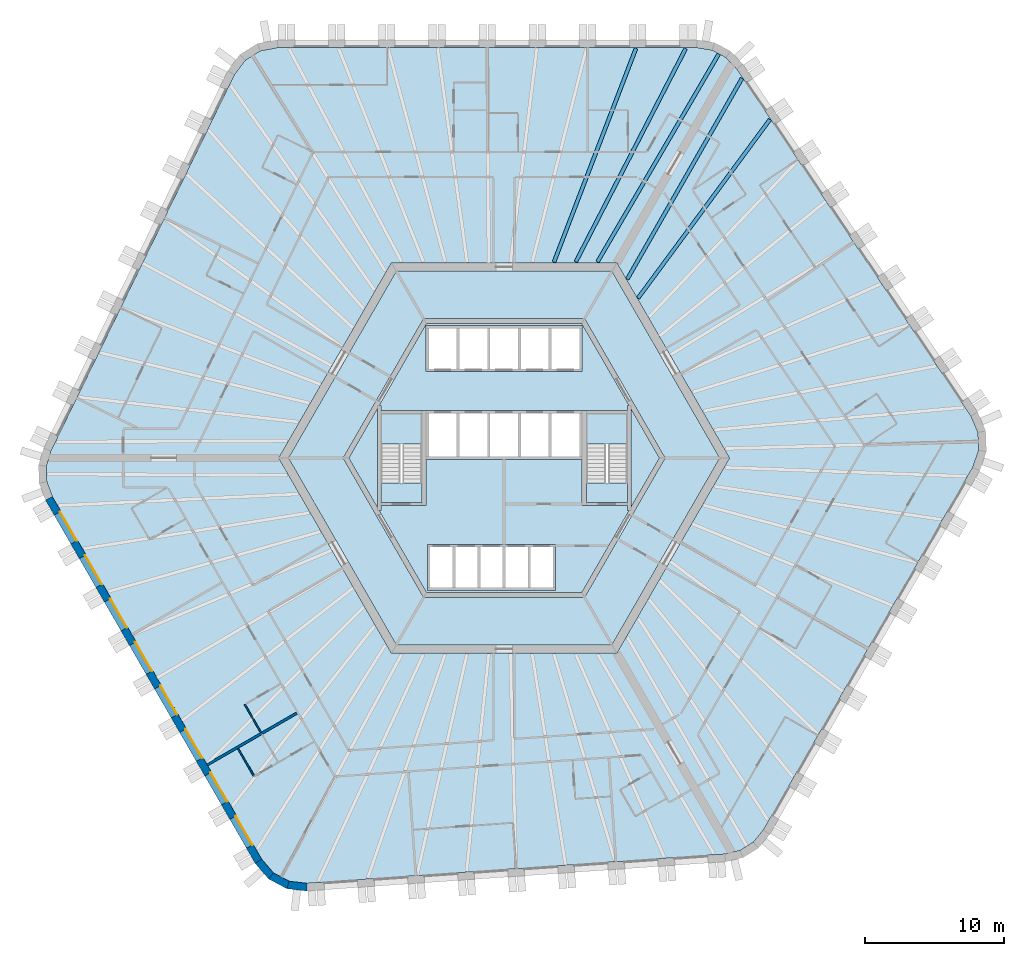
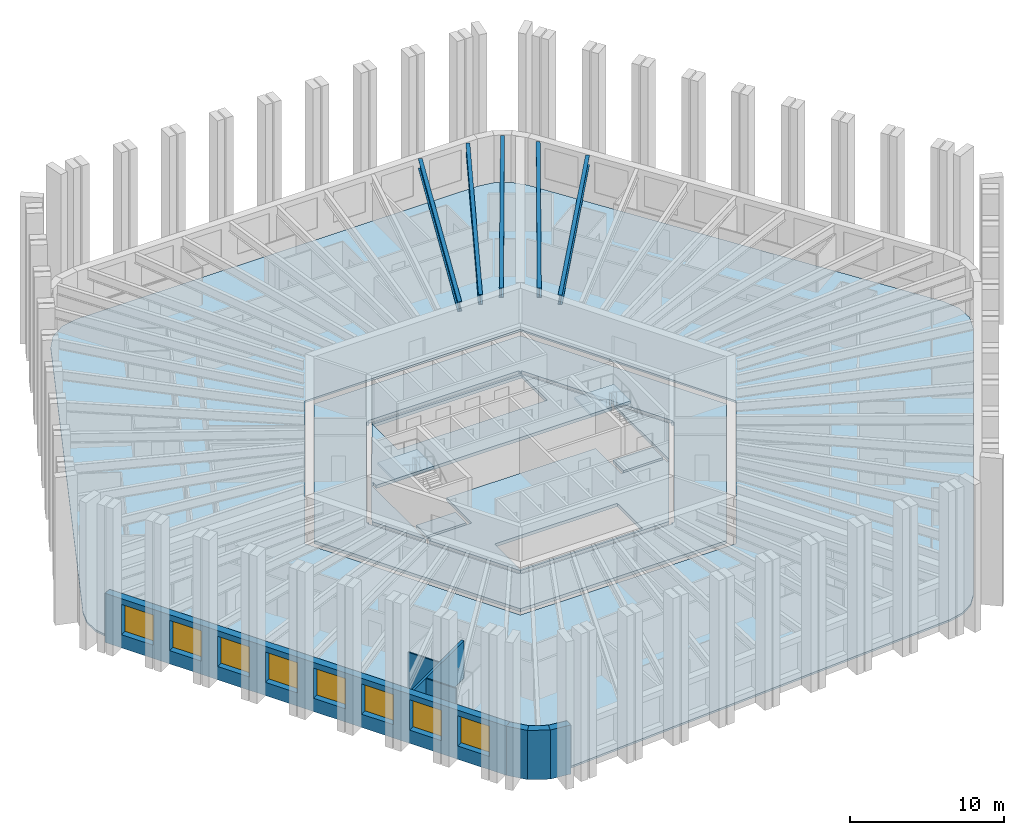
# One storey, part 2 of 13: 10 slabs, 8 windows, 7 walls, 5 beams, 8 openings, 2 elements without a shape of their own.
"""IFC4 building model written with IfcOpenShell, lengths in metres."""

from ifc_helpers import new_model, si_unit, direction, frame, frame_2d, origin, origin_2d, place, context, subcontext, project, spatial, polyline, rectangle, i_section, outline, extrude, material, layer, layer_set, material_profile, profile_set, type_object, element, fill, aggregate, save


model = new_model("IFC4")

# Units and contexts
model_context = context("Model", 3, precision=1e-05, world=origin(), true_north=direction((0.0, 1.0)))
body_context = subcontext(model_context, "Body", "Model", "MODEL_VIEW")
ifc_project = project(units=[si_unit("LENGTHUNIT", "METRE"), si_unit("AREAUNIT", "SQUARE_METRE"), si_unit("VOLUMEUNIT", "CUBIC_METRE"), si_unit("PLANEANGLEUNIT", "RADIAN"), si_unit("MASSUNIT", "GRAM", prefix="KILO")], contexts=[model_context])

# Site, building, storey
site_placement = place(None, origin())
site = spatial("IfcSite", under=ifc_project, at=site_placement, CompositionType="ELEMENT")
building_placement = place(site_placement, origin())
building = spatial("IfcBuilding", under=site, at=building_placement, Name="Tarnside Tower", CompositionType="ELEMENT")
storey_placement = place(building_placement, frame((0.0, 0.0, 111.60009765625)))
storey = spatial("IfcBuildingStorey", under=building, at=storey_placement, Name="L25", CompositionType="ELEMENT", Elevation=111.60009765625)

# Beams
ifc_material_1 = material(Name="Steel S355", Category="steel")
ifc_material_profile = material_profile(ifc_material_1, i_section(OverallWidth=0.2666015625, OverallDepth=0.76220703125, WebThickness=0.014404296875, FlangeThickness=0.021484375, FilletRadius=0.0166015625, at=origin_2d()), Name="UB 762x267x173")
ifc_profile_set = profile_set([ifc_material_profile], Name="Steel S355")
beam_type = type_object("IfcBeamType", Name="Floor beam UB 762x267x173", PredefinedType="BEAM", material=ifc_profile_set)
beam_1_placement = place(storey_placement, frame((13.0283203125, 29.37890625, 3.368896484375), z_axis=(-0.457973226459, -0.888965985765, 0.0), x_axis=(0.888965985765, -0.457973226459, 0.0)))
element("IfcBeam", 1, at=beam_1_placement, inside=storey, type_object=beam_type, Name="Floor beam F1.01", PredefinedType="BEAM", context=body_context, shape_type="SweptSolid", body=[
    extrude(i_section(OverallWidth=0.2666015625, OverallDepth=0.76220703125, WebThickness=0.014404296875, FlangeThickness=0.021484375, FilletRadius=0.0166015625, at=origin_2d()), origin(), (0.0, 0.0, 1.0), 17.219970703125),
])
beam_2_placement = place(storey_placement, frame((9.4619140625, 29.39404296875, 3.368896484375), z_axis=(-0.358299847269, -0.933606565662, 0.0), x_axis=(0.933606565662, -0.358299847269, 0.0)))
element("IfcBeam", 2, at=beam_2_placement, inside=storey, type_object=beam_type, Name="Floor beam F1.02", PredefinedType="BEAM", context=body_context, shape_type="SweptSolid", body=[
    extrude(i_section(OverallWidth=0.2666015625, OverallDepth=0.76220703125, WebThickness=0.014404296875, FlangeThickness=0.021484375, FilletRadius=0.0166015625, at=origin_2d()), origin(), (0.0, 0.0, 1.0), 16.428955078125),
])
beam_3_placement = place(storey_placement, frame((19.072021484375, 24.28857421875, 3.368896484375), z_axis=(-0.593986893499, -0.804474717037, 0.0), x_axis=(0.804474717037, -0.593986893499, 0.0)))
element("IfcBeam", 3, at=beam_3_placement, inside=storey, type_object=beam_type, Name="Floor beam F6.08", PredefinedType="BEAM", context=body_context, shape_type="SweptSolid", body=[
    extrude(i_section(OverallWidth=0.2666015625, OverallDepth=0.76220703125, WebThickness=0.014404296875, FlangeThickness=0.021484375, FilletRadius=0.0166015625, at=origin_2d()), origin(), (0.0, 0.0, 1.0), 15.934326171875),
])
beam_4_placement = place(storey_placement, frame((17.066162109375, 27.235107421875, 3.368896484375), z_axis=(-0.49622611841, -0.868193319145, 0.0), x_axis=(0.868193319145, -0.49622611841, 0.0)))
element("IfcBeam", 4, at=beam_4_placement, inside=storey, type_object=beam_type, Name="Floor beam F6.09", PredefinedType="BEAM", context=body_context, shape_type="SweptSolid", body=[
    extrude(i_section(OverallWidth=0.2666015625, OverallDepth=0.76220703125, WebThickness=0.014404296875, FlangeThickness=0.021484375, FilletRadius=0.0166015625, at=origin_2d()), origin(), (0.0, 0.0, 1.0), 16.586669921875),
])
beam_5_placement = place(storey_placement, frame((15.4013671875, 28.990478515625, 3.368896484375), z_axis=(-0.503858723096, -0.863786077198, 0.0), x_axis=(0.863786077198, -0.503858723096, 0.0)))
element("IfcBeam", 5, at=beam_5_placement, inside=storey, type_object=beam_type, Name="Floor beam C6", PredefinedType="BEAM", context=body_context, shape_type="SweptSolid", body=[
    extrude(i_section(OverallWidth=0.2666015625, OverallDepth=0.76220703125, WebThickness=0.014404296875, FlangeThickness=0.021484375, FilletRadius=0.0166015625, at=origin_2d()), origin(), (0.0, 0.0, 1.0), 17.2744140625),
])

# Slabs
ifc_material_2 = material(Name="Concrete C35/45", Category="concrete")
ifc_layer_1 = layer(ifc_material_2, 0.14990234375)
ifc_layer_set_1 = layer_set([ifc_layer_1], Name="Composite floor slab 150")
slab_type_1 = type_object("IfcSlabType", Name="Composite floor slab 150", PredefinedType="FLOOR", material=ifc_layer_set_1)
slab_1_placement = place(storey_placement, frame((0.0, 0.0, -0.150146484375)))
element("IfcSlab", 6, at=slab_1_placement, inside=storey, type_object=slab_type_1, Name="Floor slab L25", PredefinedType="FLOOR", context=body_context, shape_type="SweptSolid", body=[
    extrude(outline(polyline([(14.927490234375, 29.264892578125), (15.91455078125, 28.740234375), (16.697265625, 27.91064453125), (33.48583984375, 3.0205078125), (34.001220703125, 1.825439453125), (34.0458984375, 0.55078125), (33.614990234375, -0.67724609375), (18.603515625, -26.677978515625), (17.880615234375, -27.56005859375), (16.9326171875, -28.15234375), (15.82275390625, -28.41552734375), (-14.127197265625, -30.509765625), (-15.419921875, -30.358642578125), (-16.5458984375, -29.760009765625), (-17.39404296875, -28.772705078125), (-32.405517578125, -2.772216796875), (-32.80810546875, -1.704833984375), (-32.846923828125, -0.587890625), (-32.52001953125, 0.5048828125), (-19.358642578125, 27.4892578125), (-18.58154296875, 28.533203125), (-17.5, 29.208984375), (-16.220947265625, 29.449951171875), (13.802001953125, 29.449951171875), (14.927490234375, 29.264892578125)]), holes=[polyline([(-16.165771484375, 0.0), (-8.0830078125, -14.0), (8.0830078125, -14.0), (16.165771484375, 0.0), (8.0830078125, 14.0), (-8.0830078125, 14.0), (-16.165771484375, 0.0)])]), origin(), (0.0, 0.0, 1.0), 0.150146484375),
])
ifc_material_3 = material(Name="Concrete C40/50", Category="concrete")
ifc_layer_2 = layer(ifc_material_3, 0.25)
ifc_layer_set_2 = layer_set([ifc_layer_2], Name="Core slab C40/50")
slab_type_2 = type_object("IfcSlabType", Name="Core slab C40/50", PredefinedType="FLOOR", material=ifc_layer_set_2)
slab_2_placement = place(storey_placement, frame((0.0, 0.0, -0.25)))
element("IfcSlab", 7, at=slab_2_placement, inside=storey, type_object=slab_type_2, Name="L25 core floor slab 1", PredefinedType="FLOOR", context=body_context, shape_type="SweptSolid", body=[
    extrude(outline(polyline([(-15.472900390625, 0.0), (-7.736572265625, 13.39990234375), (7.736572265625, 13.39990234375), (15.472900390625, 0.0), (7.736572265625, -13.39990234375), (-7.736572265625, -13.39990234375), (-15.472900390625, 0.0)]), holes=[polyline([(5.823974609375, -9.91259765625), (11.49658203125, -0.08740234375), (11.344970703125, 0.0), (11.49658203125, 0.08740234375), (5.823974609375, 9.91259765625), (5.672607421875, 9.824951171875), (5.672607421875, 10.0), (-5.672607421875, 10.0), (-5.672607421875, 9.824951171875), (-5.823974609375, 9.91259765625), (-11.49658203125, 0.08740234375), (-11.344970703125, 0.0), (-11.49658203125, -0.08740234375), (-5.823974609375, -9.91259765625), (-5.672607421875, -9.824951171875), (-5.672607421875, -10.0), (5.672607421875, -10.0), (5.672607421875, -9.824951171875), (5.823974609375, -9.91259765625)])]), origin(), (0.0, 0.0, 1.0), 0.25),
])
slab_3_placement = place(storey_placement, frame((0.0, 0.0, -0.25)))
element("IfcSlab", 8, at=slab_3_placement, inside=storey, type_object=slab_type_2, Name="L25 core floor slab 2", PredefinedType="FLOOR", context=body_context, shape_type="SweptSolid", body=[
    extrude(outline(polyline([(-8.97509765625, 3.7548828125), (-5.5712890625, 9.64990234375), (5.5712890625, 9.64990234375), (8.97509765625, 3.7548828125), (8.85009765625, 3.7548828125), (8.85009765625, 3.39990234375), (5.89990234375, 3.39990234375), (5.60009765625, 3.39990234375), (5.60009765625, 3.39990234375), (-5.60009765625, 3.39990234375), (-5.89990234375, 3.39990234375), (-8.85009765625, 3.39990234375), (-8.85009765625, 3.7548828125), (-8.97509765625, 3.7548828125)]), holes=[polyline([(-5.60009765625, 6.199951171875), (5.60009765625, 6.199951171875), (5.60009765625, 6.39990234375), (5.60009765625, 9.300048828125), (5.60009765625, 9.5), (-5.60009765625, 9.5), (-5.60009765625, 9.300048828125), (-5.60009765625, 6.39990234375), (-5.60009765625, 6.199951171875)])]), origin(), (0.0, 0.0, 1.0), 0.25),
])
slab_4_placement = place(storey_placement, frame((0.0, 0.0, -0.25)))
element("IfcSlab", 9, at=slab_4_placement, inside=storey, type_object=slab_type_2, Name="L25 core floor slab 3", PredefinedType="FLOOR", context=body_context, shape_type="SweptSolid", body=[
    extrude(outline(polyline([(5.60009765625, -3.39990234375), (5.89990234375, -3.39990234375), (8.85009765625, -3.39990234375), (8.85009765625, -3.7548828125), (8.97509765625, -3.7548828125), (5.5712890625, -9.64990234375), (-5.5712890625, -9.64990234375), (-8.97509765625, -3.7548828125), (-8.85009765625, -3.7548828125), (-8.85009765625, -3.39990234375), (-5.89990234375, -3.39990234375), (-5.60009765625, -3.39990234375), (-5.60009765625, -0.10009765625), (5.60009765625, -0.10009765625), (5.60009765625, -3.39990234375)]), holes=[polyline([(-5.5, -9.300048828125), (-5.5, -9.5), (3.699951171875, -9.5), (3.699951171875, -9.300048828125), (3.699951171875, -6.39990234375), (3.699951171875, -6.199951171875), (-5.5, -6.199951171875), (-5.5, -6.39990234375), (-5.5, -9.300048828125)])]), origin(), (0.0, 0.0, 1.0), 0.25),
])
slab_5_placement = place(storey_placement, frame((0.0, 0.0, -0.25)))
element("IfcSlab", 10, at=slab_5_placement, inside=storey, type_object=slab_type_2, Name="L25 core floor slab 4", PredefinedType="FLOOR", context=body_context, shape_type="SweptSolid", body=[
    extrude(outline(polyline([(-11.142822265625, 0.0), (-9.10009765625, 3.538330078125), (-9.10009765625, -3.538330078125), (-11.142822265625, 0.0)])), origin(), (0.0, 0.0, 1.0), 0.25),
])
slab_6_placement = place(storey_placement, frame((0.0, 0.0, -0.25)))
element("IfcSlab", 11, at=slab_6_placement, inside=storey, type_object=slab_type_2, Name="L25 core floor slab 5", PredefinedType="FLOOR", context=body_context, shape_type="SweptSolid", body=[
    extrude(outline(polyline([(-8.85009765625, -1.800048828125), (-5.89990234375, -1.800048828125), (-5.89990234375, -3.199951171875), (-8.85009765625, -3.199951171875), (-8.85009765625, -1.800048828125)])), origin(), (0.0, 0.0, 1.0), 0.25),
])
slab_7_placement = place(storey_placement, frame((0.0, 0.0, -0.25)))
element("IfcSlab", 12, at=slab_7_placement, inside=storey, type_object=slab_type_2, Name="L25 core floor slab 6", PredefinedType="FLOOR", context=body_context, shape_type="SweptSolid", body=[
    extrude(outline(polyline([(5.89990234375, -3.199951171875), (5.89990234375, -1.800048828125), (8.85009765625, -1.800048828125), (8.85009765625, -3.199951171875), (5.89990234375, -3.199951171875)])), origin(), (0.0, 0.0, 1.0), 0.25),
])
slab_8_placement = place(storey_placement, frame((0.0, 0.0, -0.25)))
element("IfcSlab", 13, at=slab_8_placement, inside=storey, type_object=slab_type_2, Name="L25 core floor slab 7", PredefinedType="FLOOR", context=body_context, shape_type="SweptSolid", body=[
    extrude(outline(polyline([(9.10009765625, -3.538330078125), (9.10009765625, 3.538330078125), (11.142822265625, 0.0), (9.10009765625, -3.538330078125)])), origin(), (0.0, 0.0, 1.0), 0.25),
])

# Stair, slab
stair_type = type_object("IfcStairType", Name="Exit stair 1400 clear", PredefinedType="HALF_TURN_STAIR", material=ifc_material_3)
stair_1_placement = place(storey_placement, origin())
stair_1 = element("IfcStair", 14, at=stair_1_placement, inside=storey, type_object=stair_type, Name="L25 Exit stair 1", PredefinedType="HALF_TURN_STAIR")
ifc_layer_3 = layer(ifc_material_3, 0.199951171875)
ifc_layer_set_3 = layer_set([ifc_layer_3], Name="Stair landing 200 C40/50")
slab_type_3 = type_object("IfcSlabType", Name="Stair landing 200 C40/50", PredefinedType="LANDING", material=ifc_layer_set_3)
slab_9_placement = place(storey_placement, frame((0.0, 0.0, 1.75)))
slab_9 = element("IfcSlab", 15, at=slab_9_placement, type_object=slab_type_3, Name="ST1 landing 1", PredefinedType="LANDING", context=body_context, shape_type="SweptSolid", body=[
    extrude(outline(polyline([(8.85009765625, 1.0), (8.85009765625, 3.199951171875), (5.89990234375, 3.199951171875), (5.89990234375, 1.0), (8.85009765625, 1.0)])), origin(), (0.0, 0.0, 1.0), 0.199951171875),
])
aggregate(stair_1, [slab_9])

stair_2_placement = place(storey_placement, origin())
stair_2 = element("IfcStair", 16, at=stair_2_placement, inside=storey, type_object=stair_type, Name="L25 Exit stair 2", PredefinedType="HALF_TURN_STAIR")
slab_10_placement = place(storey_placement, frame((0.0, 0.0, 1.75)))
slab_10 = element("IfcSlab", 17, at=slab_10_placement, type_object=slab_type_3, Name="ST2 landing 1", PredefinedType="LANDING", context=body_context, shape_type="SweptSolid", body=[
    extrude(outline(polyline([(-5.89990234375, 1.0), (-5.89990234375, 3.199951171875), (-8.85009765625, 3.199951171875), (-8.85009765625, 1.0), (-5.89990234375, 1.0)])), origin(), (0.0, 0.0, 1.0), 0.199951171875),
])
aggregate(stair_2, [slab_10])

# Walls
ifc_material_4 = material(Name="Gypsum board partition on steel studs", Category="steel")
ifc_layer_4 = layer(ifc_material_4, 0.10009765625)
ifc_layer_set_4 = layer_set([ifc_layer_4], Name="Bathroom wall 100")
wall_type_1 = type_object("IfcWallType", Name="Bathroom wall 100", PredefinedType="PARTITIONING", material=ifc_layer_set_4)
wall_1_placement = place(storey_placement, frame((-17.44677734375, -19.68115234375, 0.0), z_axis=(0.0, 0.0, 1.0), x_axis=(-0.500015210774, 0.866016621662, 0.0)))
element("IfcWall", 18, at=wall_1_placement, inside=storey, type_object=wall_type_1, Name="Bathroom wall 08104", PredefinedType="PARTITIONING", context=body_context, shape_type="SweptSolid", body=[
    extrude(rectangle(XDim=2.31005859375, YDim=0.10009765625, at=frame_2d((1.155029296875, 0.0))), origin(), (0.0, 0.0, 1.0), 2.98779296875),
])
ifc_layer_5 = layer(ifc_material_4, 0.179931640625)
ifc_layer_set_5 = layer_set([ifc_layer_5], Name="Demising wall 180 EI 60")
wall_type_2 = type_object("IfcWallType", Name="Demising wall 180 EI 60", PredefinedType="PARTITIONING", material=ifc_layer_set_5)
wall_2_placement = place(storey_placement, frame((-21.298828125, -22.00927734375, 0.0), z_axis=(0.0, 0.0, 1.0), x_axis=(0.866014745021, 0.500018461065, 0.0)))
element("IfcWall", 19, at=wall_2_placement, inside=storey, type_object=wall_type_2, Name="Demising wall 08106", PredefinedType="PARTITIONING", context=body_context, shape_type="SweptSolid", body=[
    extrude(rectangle(XDim=7.425048828125, YDim=0.179931640625, at=frame_2d((3.71240234375, 0.0))), origin(), (0.0, 0.0, 1.0), 2.98779296875),
])
ifc_layer_6 = layer(ifc_material_4, 0.10009765625)
ifc_layer_set_6 = layer_set([ifc_layer_6], Name="Partition 100")
wall_type_3 = type_object("IfcWallType", Name="Partition 100", PredefinedType="PARTITIONING", material=ifc_layer_set_6)
wall_3_placement = place(storey_placement, frame((-17.958740234375, -22.79443359375, 0.0), z_axis=(0.0, 0.0, 1.0), x_axis=(-0.500031020067, 0.8660074936, 0.0)))
element("IfcWall", 20, at=wall_3_placement, inside=storey, type_object=wall_type_3, Name="Partition wall 08111", PredefinedType="PARTITIONING", context=body_context, shape_type="SweptSolid", body=[
    extrude(rectangle(XDim=2.260009765625, YDim=0.10009765625, at=frame_2d((1.1298828125, 0.0))), origin(), (0.0, 0.0, 1.0), 2.98779296875),
])

# Wall, openings, windows
ifc_material_5 = material(Name="Facing brick", Category="masonry")
ifc_layer_7 = layer(ifc_material_5, 0.10205078125)
ifc_material_6 = material(Name="Concrete C60/75 precast", Category="concrete")
ifc_layer_8 = layer(ifc_material_6, 0.347900390625)
ifc_material_7 = material(Name="Mineral wool insulation")
ifc_layer_9 = layer(ifc_material_7, 0.10009765625)
ifc_layer_set_7 = layer_set([ifc_layer_7, ifc_layer_8, ifc_layer_9], Name="Tube wall 550 brick faced")
wall_type_4 = type_object("IfcWallType", Name="Tube wall 550 brick faced", PredefinedType="SOLIDWALL", material=ifc_layer_set_7)
wall_4_placement = place(storey_placement, frame((-32.65478515625, -2.89013671875, -0.150146484375), z_axis=(0.0, 0.0, 1.0), x_axis=(0.499997711317, -0.866026725152, 0.0)))
wall_4 = element("IfcWall", 21, at=wall_4_placement, inside=storey, type_object=wall_type_4, Name="Tube wall L25 F3 flush 08", PredefinedType="SOLIDWALL", context=body_context, shape_type="SweptSolid", body=[
    extrude(outline(polyline([(-0.0224609375, -0.27490234375), (30.0966796875, -0.27490234375), (30.04541015625, 0.27490234375), (0.0224609375, 0.27490234375), (-0.0224609375, -0.27490234375)])), origin(), (0.0, 0.0, 1.0), 3.900146484375),
])
opening_1_placement = place(wall_4_placement, frame((1.235595703125, 0.0, 1.050048828125)))
opening_1 = element("IfcOpeningElement", 22, at=opening_1_placement, cuts=wall_4, Name="Opening WH", PredefinedType="OPENING", context=body_context, shape_type="SweptSolid", body=[
    extrude(rectangle(XDim=2.39990234375, YDim=2.39990234375, at=frame_2d((1.199951171875, 1.199951171875))), frame((0.0, 0.28515625, 0.0), z_axis=(0.0, -1.0, 0.0), x_axis=(1.0, 0.0, 0.0)), (0.0, 0.0, 1.0), 0.570068359375),
])
opening_2_placement = place(wall_4_placement, frame((4.83544921875, 0.0, 1.050048828125)))
opening_2 = element("IfcOpeningElement", 23, at=opening_2_placement, cuts=wall_4, Name="Opening WH", PredefinedType="OPENING", context=body_context, shape_type="SweptSolid", body=[
    extrude(rectangle(XDim=2.39990234375, YDim=2.39990234375, at=frame_2d((1.199951171875, 1.199951171875))), frame((0.0, 0.28515625, 0.0), z_axis=(0.0, -1.0, 0.0), x_axis=(1.0, 0.0, 0.0)), (0.0, 0.0, 1.0), 0.570068359375),
])
opening_3_placement = place(wall_4_placement, frame((8.435546875, 0.0, 1.050048828125)))
opening_3 = element("IfcOpeningElement", 24, at=opening_3_placement, cuts=wall_4, Name="Opening WH", PredefinedType="OPENING", context=body_context, shape_type="SweptSolid", body=[
    extrude(rectangle(XDim=2.39990234375, YDim=2.39990234375, at=frame_2d((1.199951171875, 1.199951171875))), frame((0.0, 0.28515625, 0.0), z_axis=(0.0, -1.0, 0.0), x_axis=(1.0, 0.0, 0.0)), (0.0, 0.0, 1.0), 0.570068359375),
])
opening_4_placement = place(wall_4_placement, frame((12.035400390625, 0.0, 1.050048828125)))
opening_4 = element("IfcOpeningElement", 25, at=opening_4_placement, cuts=wall_4, Name="Opening WH", PredefinedType="OPENING", context=body_context, shape_type="SweptSolid", body=[
    extrude(rectangle(XDim=2.39990234375, YDim=2.39990234375, at=frame_2d((1.199951171875, 1.199951171875))), frame((0.0, 0.28515625, 0.0), z_axis=(0.0, -1.0, 0.0), x_axis=(1.0, 0.0, 0.0)), (0.0, 0.0, 1.0), 0.570068359375),
])
opening_5_placement = place(wall_4_placement, frame((15.635498046875, 0.0, 1.050048828125)))
opening_5 = element("IfcOpeningElement", 26, at=opening_5_placement, cuts=wall_4, Name="Opening WH", PredefinedType="OPENING", context=body_context, shape_type="SweptSolid", body=[
    extrude(rectangle(XDim=2.39990234375, YDim=2.39990234375, at=frame_2d((1.199951171875, 1.199951171875))), frame((0.0, 0.28515625, 0.0), z_axis=(0.0, -1.0, 0.0), x_axis=(1.0, 0.0, 0.0)), (0.0, 0.0, 1.0), 0.570068359375),
])
opening_6_placement = place(wall_4_placement, frame((19.235595703125, 0.0, 1.050048828125)))
opening_6 = element("IfcOpeningElement", 27, at=opening_6_placement, cuts=wall_4, Name="Opening WH", PredefinedType="OPENING", context=body_context, shape_type="SweptSolid", body=[
    extrude(rectangle(XDim=2.39990234375, YDim=2.39990234375, at=frame_2d((1.199951171875, 1.199951171875))), frame((0.0, 0.28515625, 0.0), z_axis=(0.0, -1.0, 0.0), x_axis=(1.0, 0.0, 0.0)), (0.0, 0.0, 1.0), 0.570068359375),
])
opening_7_placement = place(wall_4_placement, frame((22.83544921875, 0.0, 1.050048828125)))
opening_7 = element("IfcOpeningElement", 28, at=opening_7_placement, cuts=wall_4, Name="Opening WH", PredefinedType="OPENING", context=body_context, shape_type="SweptSolid", body=[
    extrude(rectangle(XDim=2.39990234375, YDim=2.39990234375, at=frame_2d((1.199951171875, 1.199951171875))), frame((0.0, 0.28515625, 0.0), z_axis=(0.0, -1.0, 0.0), x_axis=(1.0, 0.0, 0.0)), (0.0, 0.0, 1.0), 0.570068359375),
])
opening_8_placement = place(wall_4_placement, frame((26.435546875, 0.0, 1.050048828125)))
opening_8 = element("IfcOpeningElement", 29, at=opening_8_placement, cuts=wall_4, Name="Opening WH", PredefinedType="OPENING", context=body_context, shape_type="SweptSolid", body=[
    extrude(rectangle(XDim=2.39990234375, YDim=2.39990234375, at=frame_2d((1.199951171875, 1.199951171875))), frame((0.0, 0.28515625, 0.0), z_axis=(0.0, -1.0, 0.0), x_axis=(1.0, 0.0, 0.0)), (0.0, 0.0, 1.0), 0.570068359375),
])
ifc_material_8 = material(Name="Aluminium-framed double glazing", Category="aluminium")
window_type = type_object("IfcWindowType", Name="Hotel window 2400 x 2400", PartitioningType="DOUBLE_PANEL_VERTICAL", PredefinedType="WINDOW", material=ifc_material_8)
window_1_placement = place(opening_1_placement, frame((0.0, 0.205078125, 0.0)))
window_1 = element("IfcWindow", 30, at=window_1_placement, inside=storey, type_object=window_type, Name="E.WN.L25.F3.00", OverallHeight=2.39990234375, OverallWidth=2.39990234375, PartitioningType="DOUBLE_PANEL_VERTICAL", PredefinedType="WINDOW", context=body_context, shape_type="SweptSolid", body=[
    extrude(rectangle(XDim=2.39990234375, YDim=2.39990234375, at=frame_2d((1.199951171875, 1.199951171875))), frame((0.0, 0.030029296875, 0.0), z_axis=(0.0, -1.0, 0.0), x_axis=(1.0, 0.0, 0.0)), (0.0, 0.0, 1.0), 0.06005859375),
])
fill(opening_1, window_1)
window_2_placement = place(opening_2_placement, frame((0.0, 0.205078125, 0.0)))
window_2 = element("IfcWindow", 31, at=window_2_placement, inside=storey, type_object=window_type, Name="E.WN.L25.F3.01", OverallHeight=2.39990234375, OverallWidth=2.39990234375, PartitioningType="DOUBLE_PANEL_VERTICAL", PredefinedType="WINDOW", context=body_context, shape_type="SweptSolid", body=[
    extrude(rectangle(XDim=2.39990234375, YDim=2.39990234375, at=frame_2d((1.199951171875, 1.199951171875))), frame((0.0, 0.030029296875, 0.0), z_axis=(0.0, -1.0, 0.0), x_axis=(1.0, 0.0, 0.0)), (0.0, 0.0, 1.0), 0.06005859375),
])
fill(opening_2, window_2)
window_3_placement = place(opening_3_placement, frame((0.0, 0.205078125, 0.0)))
window_3 = element("IfcWindow", 32, at=window_3_placement, inside=storey, type_object=window_type, Name="E.WN.L25.F3.02", OverallHeight=2.39990234375, OverallWidth=2.39990234375, PartitioningType="DOUBLE_PANEL_VERTICAL", PredefinedType="WINDOW", context=body_context, shape_type="SweptSolid", body=[
    extrude(rectangle(XDim=2.39990234375, YDim=2.39990234375, at=frame_2d((1.199951171875, 1.199951171875))), frame((0.0, 0.030029296875, 0.0), z_axis=(0.0, -1.0, 0.0), x_axis=(1.0, 0.0, 0.0)), (0.0, 0.0, 1.0), 0.06005859375),
])
fill(opening_3, window_3)
window_4_placement = place(opening_4_placement, frame((0.0, 0.205078125, 0.0)))
window_4 = element("IfcWindow", 33, at=window_4_placement, inside=storey, type_object=window_type, Name="E.WN.L25.F3.03", OverallHeight=2.39990234375, OverallWidth=2.39990234375, PartitioningType="DOUBLE_PANEL_VERTICAL", PredefinedType="WINDOW", context=body_context, shape_type="SweptSolid", body=[
    extrude(rectangle(XDim=2.39990234375, YDim=2.39990234375, at=frame_2d((1.199951171875, 1.199951171875))), frame((0.0, 0.030029296875, 0.0), z_axis=(0.0, -1.0, 0.0), x_axis=(1.0, 0.0, 0.0)), (0.0, 0.0, 1.0), 0.06005859375),
])
fill(opening_4, window_4)
window_5_placement = place(opening_5_placement, frame((0.0, 0.205078125, 0.0)))
window_5 = element("IfcWindow", 34, at=window_5_placement, inside=storey, type_object=window_type, Name="E.WN.L25.F3.04", OverallHeight=2.39990234375, OverallWidth=2.39990234375, PartitioningType="DOUBLE_PANEL_VERTICAL", PredefinedType="WINDOW", context=body_context, shape_type="SweptSolid", body=[
    extrude(rectangle(XDim=2.39990234375, YDim=2.39990234375, at=frame_2d((1.199951171875, 1.199951171875))), frame((0.0, 0.030029296875, 0.0), z_axis=(0.0, -1.0, 0.0), x_axis=(1.0, 0.0, 0.0)), (0.0, 0.0, 1.0), 0.06005859375),
])
fill(opening_5, window_5)
window_6_placement = place(opening_6_placement, frame((0.0, 0.205078125, 0.0)))
window_6 = element("IfcWindow", 35, at=window_6_placement, inside=storey, type_object=window_type, Name="E.WN.L25.F3.05", OverallHeight=2.39990234375, OverallWidth=2.39990234375, PartitioningType="DOUBLE_PANEL_VERTICAL", PredefinedType="WINDOW", context=body_context, shape_type="SweptSolid", body=[
    extrude(rectangle(XDim=2.39990234375, YDim=2.39990234375, at=frame_2d((1.199951171875, 1.199951171875))), frame((0.0, 0.030029296875, 0.0), z_axis=(0.0, -1.0, 0.0), x_axis=(1.0, 0.0, 0.0)), (0.0, 0.0, 1.0), 0.06005859375),
])
fill(opening_6, window_6)
window_7_placement = place(opening_7_placement, frame((0.0, 0.205078125, 0.0)))
window_7 = element("IfcWindow", 36, at=window_7_placement, inside=storey, type_object=window_type, Name="E.WN.L25.F3.06", OverallHeight=2.39990234375, OverallWidth=2.39990234375, PartitioningType="DOUBLE_PANEL_VERTICAL", PredefinedType="WINDOW", context=body_context, shape_type="SweptSolid", body=[
    extrude(rectangle(XDim=2.39990234375, YDim=2.39990234375, at=frame_2d((1.199951171875, 1.199951171875))), frame((0.0, 0.030029296875, 0.0), z_axis=(0.0, -1.0, 0.0), x_axis=(1.0, 0.0, 0.0)), (0.0, 0.0, 1.0), 0.06005859375),
])
fill(opening_7, window_7)
window_8_placement = place(opening_8_placement, frame((0.0, 0.205078125, 0.0)))
window_8 = element("IfcWindow", 37, at=window_8_placement, inside=storey, type_object=window_type, Name="E.WN.L25.F3.07", OverallHeight=2.39990234375, OverallWidth=2.39990234375, PartitioningType="DOUBLE_PANEL_VERTICAL", PredefinedType="WINDOW", context=body_context, shape_type="SweptSolid", body=[
    extrude(rectangle(XDim=2.39990234375, YDim=2.39990234375, at=frame_2d((1.199951171875, 1.199951171875))), frame((0.0, 0.030029296875, 0.0), z_axis=(0.0, -1.0, 0.0), x_axis=(1.0, 0.0, 0.0)), (0.0, 0.0, 1.0), 0.06005859375),
])
fill(opening_8, window_8)

# Walls
wall_5_placement = place(storey_placement, frame((-17.619384765625, -28.932373046875, -0.150146484375), z_axis=(0.0, 0.0, 1.0), x_axis=(0.651621950847, -0.758543890078, 0.0)))
element("IfcWall", 38, at=wall_5_placement, inside=storey, type_object=wall_type_4, Name="Tube wall L25 F3 chord 09", PredefinedType="SOLIDWALL", context=body_context, shape_type="SweptSolid", body=[
    extrude(outline(polyline([(-0.025634765625, -0.27490234375), (1.430908203125, -0.27490234375), (1.327392578125, 0.27490234375), (0.025634765625, 0.27490234375), (-0.025634765625, -0.27490234375)])), origin(), (0.0, 0.0, 1.0), 3.900146484375),
])
wall_6_placement = place(storey_placement, frame((-16.720703125, -29.978515625, -0.150146484375), z_axis=(0.0, 0.0, 1.0), x_axis=(0.882994189209, -0.469383917304, 0.0)))
element("IfcWall", 39, at=wall_6_placement, inside=storey, type_object=wall_type_4, Name="Tube wall L25 F3 chord 10", PredefinedType="SOLIDWALL", context=body_context, shape_type="SweptSolid", body=[
    extrude(outline(polyline([(-0.0517578125, -0.27490234375), (1.4306640625, -0.27490234375), (1.3271484375, 0.27490234375), (0.0517578125, 0.27490234375), (-0.0517578125, -0.27490234375)])), origin(), (0.0, 0.0, 1.0), 3.900146484375),
])
wall_7_placement = place(storey_placement, frame((-15.503173828125, -30.625732421875, -0.150146484375), z_axis=(0.0, 0.0, 1.0), x_axis=(0.993232537394, -0.11614269956, 0.0)))
element("IfcWall", 40, at=wall_7_placement, inside=storey, type_object=wall_type_4, Name="Tube wall L25 F3 chord 11", PredefinedType="SOLIDWALL", context=body_context, shape_type="SweptSolid", body=[
    extrude(outline(polyline([(-0.0517578125, -0.27490234375), (1.404541015625, -0.27490234375), (1.353271484375, 0.27490234375), (0.0517578125, 0.27490234375), (-0.0517578125, -0.27490234375)])), origin(), (0.0, 0.0, 1.0), 3.900146484375),
])

save(model, "model.ifc")
